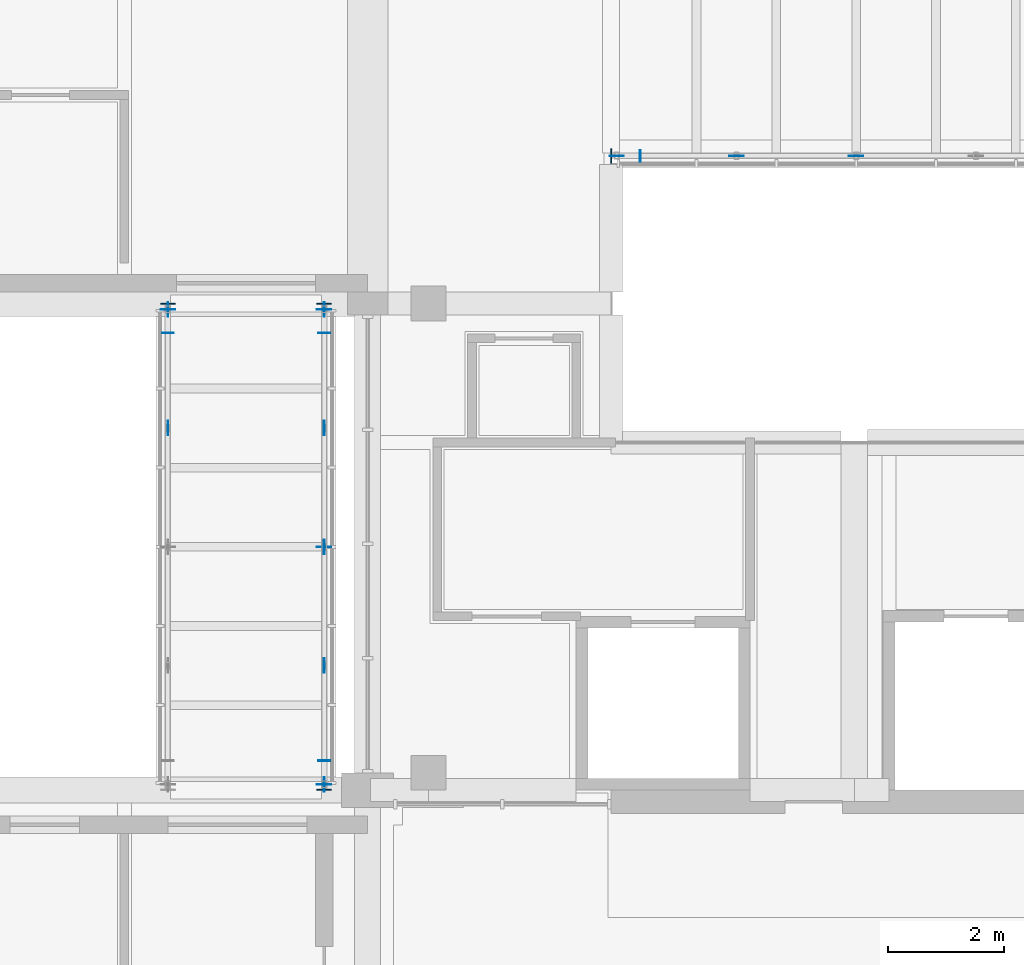
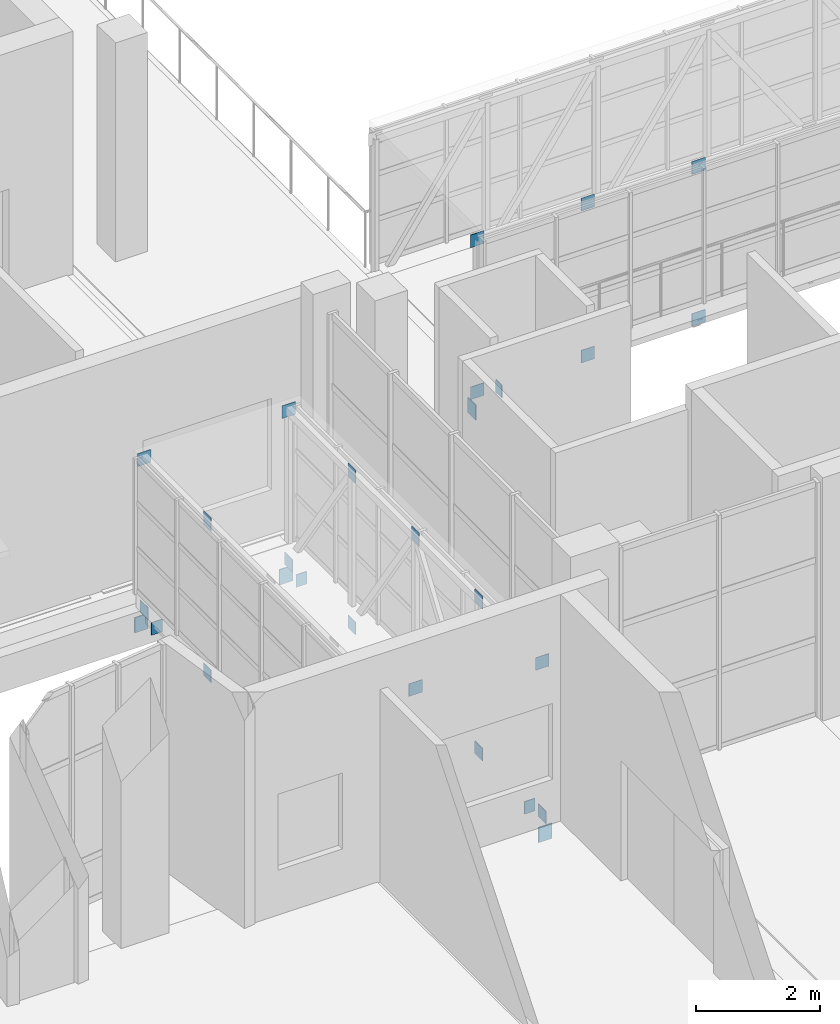
# One storey, part 39 of 67: 28 plates.
"""IFC4 building model written with IfcOpenShell, lengths in metres."""

from ifc_helpers import new_model, si_unit, direction, frame, origin, origin_2d, place, context, subcontext, project, spatial, rectangle, extrude, material, layer, layer_set, type_object, element, save


model = new_model("IFC4")

# Units and contexts
model_context = context("Model", 3, precision=1e-05, world=origin(), true_north=direction((0.0, 1.0)))
body_context = subcontext(model_context, "Body", "Model", "MODEL_VIEW")
ifc_project = project(units=[si_unit("LENGTHUNIT", "METRE"), si_unit("AREAUNIT", "SQUARE_METRE"), si_unit("VOLUMEUNIT", "CUBIC_METRE"), si_unit("PLANEANGLEUNIT", "RADIAN"), si_unit("MASSUNIT", "GRAM", prefix="KILO")], contexts=[model_context])

# Site, building, storey
site_placement = place(None, origin())
site = spatial("IfcSite", under=ifc_project, at=site_placement, CompositionType="ELEMENT")
building_placement = place(site_placement, origin())
building = spatial("IfcBuilding", under=site, at=building_placement, Name="Kiln Court Media Centre", CompositionType="ELEMENT")
storey_placement = place(building_placement, frame((0.0, 0.0, 19.800048828125)))
storey = spatial("IfcBuildingStorey", under=building, at=storey_placement, Name="L04", CompositionType="ELEMENT", Elevation=19.800048828125)

# Plates
ifc_material_1 = material(Name="Steel ASTM A572 Gr 50", Category="steel")
ifc_layer_1 = layer(ifc_material_1, 0.011962890625)
ifc_layer_set_1 = layer_set([ifc_layer_1], Name="Steel ASTM A572 Gr 50 12x200x250 connection plate")
plate_type_1 = type_object("IfcPlateType", Name="Steel ASTM A572 Gr 50 12x200x250 connection plate", PredefinedType="USERDEFINED", material=ifc_layer_set_1)
plate_1_placement = place(storey_placement, frame((38.305908203125, 36.14990234375, -0.6201171875), z_axis=(0.0, 0.0, 1.0), x_axis=(1.0, 0.0, 0.0)))
element("IfcPlate", 1, at=plate_1_placement, inside=storey, type_object=plate_type_1, Name="bridge BR-L04-FOY-11 side truss 1 end 1 seat beam connection plate", ObjectType="CONNECTION PLATE", PredefinedType="USERDEFINED", context=body_context, shape_type="SweptSolid", body=[
    extrude(rectangle(XDim=0.011962890625, YDim=0.199951171875, at=origin_2d()), origin(), (0.0, 0.0, 1.0), 0.25),
])
ifc_material_2 = material(Name="Steel ASTM A572 Gr 50", Category="steel")
ifc_layer_2 = layer(ifc_material_2, 0.011962890625)
ifc_layer_set_2 = layer_set([ifc_layer_2], Name="Steel ASTM A572 Gr 50 200x12x250 connection plate")
plate_type_2 = type_object("IfcPlateType", Name="Steel ASTM A572 Gr 50 200x12x250 connection plate", PredefinedType="USERDEFINED", material=ifc_layer_set_2)
for number, where, z_axis, x_axis, name in (
    (2, (30.14990234375, 33.093994140625, -0.6201171875), (0.0, 0.0, 1.0), (1.0, 0.0, 0.0), "bridge BR-2 side truss 1 end 2 seat beam connection plate"),
    (3, (32.85009765625, 25.7060546875, -0.6201171875), (0.0, 0.0, 1.0), (1.0, 0.0, 0.0), "bridge BR-2 side truss 2 end 1 seat beam connection plate"),
    (4, (32.85009765625, 33.093994140625, -0.6201171875), (0.0, 0.0, 1.0), (1.0, 0.0, 0.0), "bridge BR-2 side truss 2 end 2 seat beam connection plate"),
):
    element("IfcPlate", number, at=place(storey_placement, frame(where, z_axis=z_axis, x_axis=x_axis)), inside=storey, type_object=plate_type_2, Name=name, ObjectType="CONNECTION PLATE", PredefinedType="USERDEFINED", context=body_context, shape_type="SweptSolid", body=[
        extrude(rectangle(XDim=0.199951171875, YDim=0.011962890625, at=origin_2d()), origin(), (0.0, 0.0, 1.0), 0.25),
    ])
ifc_material_3 = material(Name="Steel ASTM A572 Gr 50", Category="steel")
ifc_layer_3 = layer(ifc_material_3, 0.02001953125)
ifc_layer_set_3 = layer_set([ifc_layer_3], Name="Steel ASTM A572 Gr 50 20x250x300 seat bracket plate")
plate_type_3 = type_object("IfcPlateType", Name="Steel ASTM A572 Gr 50 20x250x300 seat bracket plate", PredefinedType="USERDEFINED", material=ifc_layer_set_3)
plate_2_placement = place(storey_placement, frame((37.804931640625, 36.14990234375, -0.8662109375), z_axis=(0.0, 0.0, 1.0), x_axis=(1.0, 0.0, 0.0)))
element("IfcPlate", 5, at=plate_2_placement, inside=storey, type_object=plate_type_3, Name="bridge BR-L04-FOY-11 side truss 1 end 1 seat bracket plate", ObjectType="SEAT BRACKET PLATE", PredefinedType="USERDEFINED", context=body_context, shape_type="SweptSolid", body=[
    extrude(rectangle(XDim=0.02001953125, YDim=0.25, at=origin_2d()), origin(), (0.0, 0.0, 1.0), 0.300048828125),
])
ifc_material_4 = material(Name="Steel ASTM A572 Gr 50", Category="steel")
ifc_layer_4 = layer(ifc_material_4, 0.02001953125)
ifc_layer_set_4 = layer_set([ifc_layer_4], Name="Steel ASTM A572 Gr 50 250x20x300 seat bracket plate")
plate_type_4 = type_object("IfcPlateType", Name="Steel ASTM A572 Gr 50 250x20x300 seat bracket plate", PredefinedType="USERDEFINED", material=ifc_layer_set_4)
for number, where, z_axis, x_axis, name in (
    (6, (30.14990234375, 33.594970703125, -0.8662109375), (0.0, 0.0, 1.0), (1.0, 0.0, 0.0), "bridge BR-2 side truss 1 end 2 seat bracket plate"),
    (7, (32.85009765625, 25.205078125, -0.8662109375), (0.0, 0.0, 1.0), (1.0, 0.0, 0.0), "bridge BR-2 side truss 2 end 1 seat bracket plate"),
    (8, (32.85009765625, 33.594970703125, -0.8662109375), (0.0, 0.0, 1.0), (1.0, 0.0, 0.0), "bridge BR-2 side truss 2 end 2 seat bracket plate"),
):
    element("IfcPlate", number, at=place(storey_placement, frame(where, z_axis=z_axis, x_axis=x_axis)), inside=storey, type_object=plate_type_4, Name=name, ObjectType="SEAT BRACKET PLATE", PredefinedType="USERDEFINED", context=body_context, shape_type="SweptSolid", body=[
        extrude(rectangle(XDim=0.25, YDim=0.02001953125, at=origin_2d()), origin(), (0.0, 0.0, 1.0), 0.300048828125),
    ])
ifc_material_5 = material(Name="Steel ASTM A572 Gr 50", Category="steel")
ifc_layer_5 = layer(ifc_material_5, 0.010009765625)
ifc_layer_set_5 = layer_set([ifc_layer_5], Name="Steel ASTM A572 Gr 50 250x250x10 connection plate BR")
plate_type_5 = type_object("IfcPlateType", Name="Steel ASTM A572 Gr 50 250x250x10 connection plate BR", PredefinedType="USERDEFINED", material=ifc_layer_set_5)
for number, where, z_axis, x_axis, name in (
    (9, (30.14990234375, 31.449951171875, -0.525146484375), (0.0, 0.0, 1.0), (1.0, 0.0, 0.0), "BR node connection plate"),
    (10, (30.14990234375, 31.449951171875, 2.474853515625), (0.0, 0.0, 1.0), (1.0, 0.0, 0.0), "BR node connection plate"),
    (11, (30.14990234375, 33.5, -0.525146484375), (0.0, 0.0, 1.0), (1.0, 0.0, 0.0), "BR node connection plate"),
):
    element("IfcPlate", number, at=place(storey_placement, frame(where, z_axis=z_axis, x_axis=x_axis)), inside=storey, type_object=plate_type_5, Name=name, ObjectType="CONNECTION PLATE", PredefinedType="USERDEFINED", context=body_context, shape_type="SweptSolid", body=[
        extrude(rectangle(XDim=0.010009765625, YDim=0.25, at=origin_2d()), origin(), (0.0, 0.0, 1.0), 0.25),
    ])
plate_3_placement = place(storey_placement, frame((30.14990234375, 33.5, 2.474853515625), z_axis=(0.0, 0.0, 1.0), x_axis=(1.0, 0.0, 0.0)))
element("IfcPlate", 12, at=plate_3_placement, inside=storey, type_object=plate_type_5, Name="BR node connection plate", ObjectType="CONNECTION PLATE", PredefinedType="USERDEFINED", context=body_context, shape_type="SweptSolid", body=[
    extrude(rectangle(XDim=0.25, YDim=0.010009765625, at=origin_2d()), origin(), (0.0, 0.0, 1.0), 0.25),
])
plate_4_placement = place(storey_placement, frame((32.85009765625, 25.300048828125, -0.525146484375), z_axis=(0.0, 0.0, 1.0), x_axis=(1.0, 0.0, 0.0)))
element("IfcPlate", 13, at=plate_4_placement, inside=storey, type_object=plate_type_5, Name="BR node connection plate", ObjectType="CONNECTION PLATE", PredefinedType="USERDEFINED", context=body_context, shape_type="SweptSolid", body=[
    extrude(rectangle(XDim=0.010009765625, YDim=0.25, at=origin_2d()), origin(), (0.0, 0.0, 1.0), 0.25),
])
plate_5_placement = place(storey_placement, frame((32.85009765625, 25.300048828125, 2.474853515625), z_axis=(0.0, 0.0, 1.0), x_axis=(1.0, 0.0, 0.0)))
element("IfcPlate", 14, at=plate_5_placement, inside=storey, type_object=plate_type_5, Name="BR node connection plate", ObjectType="CONNECTION PLATE", PredefinedType="USERDEFINED", context=body_context, shape_type="SweptSolid", body=[
    extrude(rectangle(XDim=0.25, YDim=0.010009765625, at=origin_2d()), origin(), (0.0, 0.0, 1.0), 0.25),
])
for number, where, z_axis, x_axis, name in (
    (15, (32.85009765625, 27.35009765625, -0.525146484375), (0.0, 0.0, 1.0), (1.0, 0.0, 0.0), "BR node connection plate"),
    (16, (32.85009765625, 27.35009765625, 2.474853515625), (0.0, 0.0, 1.0), (1.0, 0.0, 0.0), "BR node connection plate"),
):
    element("IfcPlate", number, at=place(storey_placement, frame(where, z_axis=z_axis, x_axis=x_axis)), inside=storey, type_object=plate_type_5, Name=name, ObjectType="CONNECTION PLATE", PredefinedType="USERDEFINED", context=body_context, shape_type="SweptSolid", body=[
        extrude(rectangle(XDim=0.010009765625, YDim=0.25, at=origin_2d()), origin(), (0.0, 0.0, 1.0), 0.25),
    ])
plate_6_placement = place(storey_placement, frame((32.85009765625, 29.39990234375, -0.525146484375), z_axis=(0.0, 0.0, 1.0), x_axis=(1.0, 0.0, 0.0)))
element("IfcPlate", 17, at=plate_6_placement, inside=storey, type_object=plate_type_5, Name="BR node connection plate", ObjectType="CONNECTION PLATE", PredefinedType="USERDEFINED", context=body_context, shape_type="SweptSolid", body=[
    extrude(rectangle(XDim=0.25, YDim=0.010009765625, at=origin_2d()), origin(), (0.0, 0.0, 1.0), 0.25),
])
for number, where, z_axis, x_axis, name in (
    (18, (32.85009765625, 29.39990234375, 2.474853515625), (0.0, 0.0, 1.0), (1.0, 0.0, 0.0), "BR node connection plate"),
    (19, (32.85009765625, 31.449951171875, -0.525146484375), (0.0, 0.0, 1.0), (1.0, 0.0, 0.0), "BR node connection plate"),
    (20, (32.85009765625, 31.449951171875, 2.474853515625), (0.0, 0.0, 1.0), (1.0, 0.0, 0.0), "BR node connection plate"),
    (21, (32.85009765625, 33.5, -0.525146484375), (0.0, 0.0, 1.0), (1.0, 0.0, 0.0), "BR node connection plate"),
):
    element("IfcPlate", number, at=place(storey_placement, frame(where, z_axis=z_axis, x_axis=x_axis)), inside=storey, type_object=plate_type_5, Name=name, ObjectType="CONNECTION PLATE", PredefinedType="USERDEFINED", context=body_context, shape_type="SweptSolid", body=[
        extrude(rectangle(XDim=0.010009765625, YDim=0.25, at=origin_2d()), origin(), (0.0, 0.0, 1.0), 0.25),
    ])
for number, where, z_axis, x_axis, name in (
    (22, (32.85009765625, 33.5, 2.474853515625), (0.0, 0.0, 1.0), (1.0, 0.0, 0.0), "BR node connection plate"),
    (23, (37.89990234375, 36.14990234375, -0.525146484375), (0.0, 0.0, 1.0), (1.0, 0.0, 0.0), "BR node connection plate"),
    (24, (37.89990234375, 36.14990234375, 2.474853515625), (0.0, 0.0, 1.0), (1.0, 0.0, 0.0), "BR node connection plate"),
    (25, (39.966796875, 36.14990234375, -0.525146484375), (0.0, 0.0, 1.0), (1.0, 0.0, 0.0), "BR node connection plate"),
    (26, (39.966796875, 36.14990234375, 2.474853515625), (0.0, 0.0, 1.0), (1.0, 0.0, 0.0), "BR node connection plate"),
    (27, (42.033203125, 36.14990234375, -0.525146484375), (0.0, 0.0, 1.0), (1.0, 0.0, 0.0), "BR node connection plate"),
    (28, (42.033203125, 36.14990234375, 2.474853515625), (0.0, 0.0, 1.0), (1.0, 0.0, 0.0), "BR node connection plate"),
):
    element("IfcPlate", number, at=place(storey_placement, frame(where, z_axis=z_axis, x_axis=x_axis)), inside=storey, type_object=plate_type_5, Name=name, ObjectType="CONNECTION PLATE", PredefinedType="USERDEFINED", context=body_context, shape_type="SweptSolid", body=[
        extrude(rectangle(XDim=0.25, YDim=0.010009765625, at=origin_2d()), origin(), (0.0, 0.0, 1.0), 0.25),
    ])

save(model, "model.ifc")
